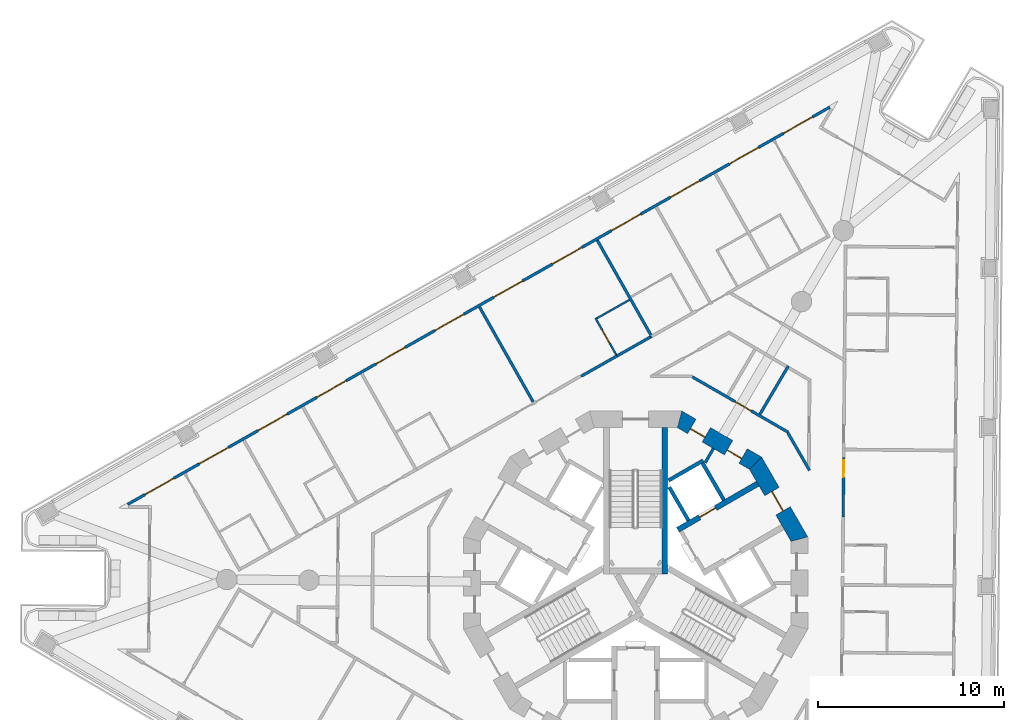
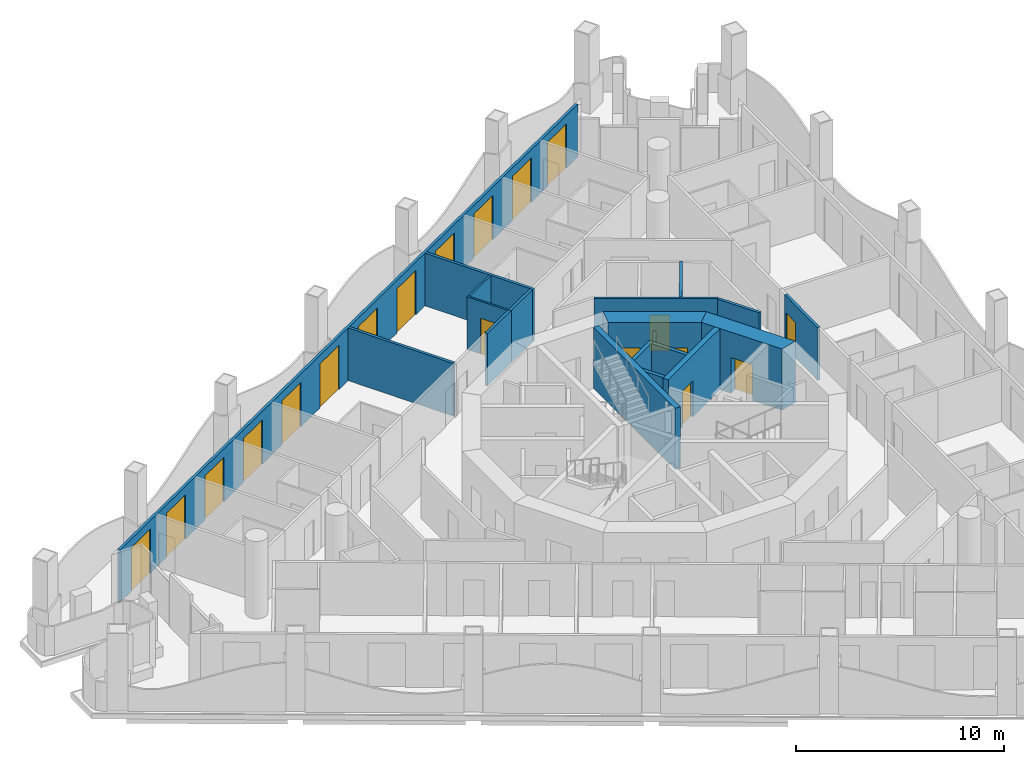
# One storey, part 8 of 17: 19 doors, 19 walls, 19 openings.
"""IFC4 building model written with IfcOpenShell, lengths in metres."""

from ifc_helpers import new_model, si_unit, direction, frame, frame_2d, origin, place, context, subcontext, project, spatial, polyline, rectangle, outline, extrude, material, layer, layer_set, type_object, element, fill, save


model = new_model("IFC4")

# Units and contexts
model_context = context("Model", 3, precision=1e-05, world=origin(), true_north=direction((0.0, 1.0)))
body_context = subcontext(model_context, "Body", "Model", "MODEL_VIEW")
ifc_project = project(units=[si_unit("LENGTHUNIT", "METRE"), si_unit("AREAUNIT", "SQUARE_METRE"), si_unit("VOLUMEUNIT", "CUBIC_METRE"), si_unit("PLANEANGLEUNIT", "RADIAN"), si_unit("MASSUNIT", "GRAM", prefix="KILO")], contexts=[model_context])

# Site, building, storey
site_placement = place(None, origin())
site = spatial("IfcSite", under=ifc_project, at=site_placement, CompositionType="ELEMENT")
building_placement = place(site_placement, origin())
building = spatial("IfcBuilding", under=site, at=building_placement, Name="Trine Commons Tower", CompositionType="ELEMENT")
storey_placement = place(building_placement, frame((0.0, 0.0, 189.89990234375)))
storey = spatial("IfcBuildingStorey", under=building, at=storey_placement, Name="L49", CompositionType="ELEMENT", Elevation=189.89990234375)

# Wall
ifc_material_1 = material(Name="Plasterboard partition on steel studs", Category="steel")
ifc_layer_1 = layer(ifc_material_1, 0.14990234375)
ifc_layer_set_1 = layer_set([ifc_layer_1], Name="Plasterboard partition on steel studs")
wall_type_1 = type_object("IfcWallType", Name="Core room partition 150 mm, EI 60", PredefinedType="PARTITIONING", material=ifc_layer_set_1)
wall_1_placement = place(storey_placement, frame((84.18603515625, 69.7509765625, 0.0), z_axis=(0.0, 0.0, 1.0), x_axis=(-0.499890179513, -0.866088799389, 0.0)))
element("IfcWall", 1, at=wall_1_placement, inside=storey, type_object=wall_type_1, Name="Core room partition L49", PredefinedType="PARTITIONING", context=body_context, shape_type="SweptSolid", body=[
    extrude(rectangle(XDim=0.882080078125, YDim=0.14990234375, at=frame_2d((0.44091796875, 0.0))), origin(), (0.0, 0.0, 1.0), 3.10009765625),
])

# Wall, openings, doors
ifc_material_2 = material(Name="Aluminium-framed insulated wall panel", Category="aluminium")
ifc_layer_2 = layer(ifc_material_2, 0.14990234375)
ifc_layer_set_2 = layer_set([ifc_layer_2], Name="Aluminium-framed insulated wall panel")
wall_type_2 = type_object("IfcWallType", Name="Glazed frame wall 150, EI 60", PredefinedType="SOLIDWALL", material=ifc_layer_set_2)
wall_2_placement = place(storey_placement, frame((52.497802734375, 66.67041015625, 0.0), z_axis=(0.0, 0.0, 1.0), x_axis=(0.870354973249, 0.492424837453, 0.0)))
wall_2 = element("IfcWall", 2, at=wall_2_placement, inside=storey, type_object=wall_type_2, Name="Glazed frame wall F1", PredefinedType="SOLIDWALL", context=body_context, shape_type="SweptSolid", body=[
    extrude(outline(polyline([(0.1494140625, 0.074951171875), (0.1494140625, -0.074951171875), (43.616943359375, -0.074951171875), (43.616943359375, 0.074951171875), (0.1494140625, 0.074951171875)])), origin(), (0.0, 0.0, 1.0), 3.10009765625),
])
opening_1_placement = place(wall_2_placement, frame((1.2236328125, 0.0, 0.0)))
opening_1 = element("IfcOpeningElement", 3, at=opening_1_placement, cuts=wall_2, Name="Opening BD-5F1-01", PredefinedType="OPENING", context=body_context, shape_type="SweptSolid", body=[
    extrude(rectangle(XDim=1.800048828125, YDim=2.60009765625, at=frame_2d((0.89990234375, 1.300048828125))), frame((0.0, 0.0849609375, 0.0), z_axis=(0.0, -1.0, 0.0), x_axis=(1.0, 0.0, 0.0)), (0.0, 0.0, 1.0), 0.169921875),
])
opening_2_placement = place(wall_2_placement, frame((4.57080078125, 0.0, 0.0)))
opening_2 = element("IfcOpeningElement", 4, at=opening_2_placement, cuts=wall_2, Name="Opening BD-5F1-02", PredefinedType="OPENING", context=body_context, shape_type="SweptSolid", body=[
    extrude(rectangle(XDim=1.800048828125, YDim=2.60009765625, at=frame_2d((0.89990234375, 1.300048828125))), frame((0.0, 0.0849609375, 0.0), z_axis=(0.0, -1.0, 0.0), x_axis=(1.0, 0.0, 0.0)), (0.0, 0.0, 1.0), 0.169921875),
])
opening_3_placement = place(wall_2_placement, frame((8.218017578125, 0.0, 0.0)))
opening_3 = element("IfcOpeningElement", 5, at=opening_3_placement, cuts=wall_2, Name="Opening BD-5F1-03", PredefinedType="OPENING", context=body_context, shape_type="SweptSolid", body=[
    extrude(rectangle(XDim=1.800048828125, YDim=2.60009765625, at=frame_2d((0.89990234375, 1.300048828125))), frame((0.0, 0.0849609375, 0.0), z_axis=(0.0, -1.0, 0.0), x_axis=(1.0, 0.0, 0.0)), (0.0, 0.0, 1.0), 0.169921875),
])
opening_4_placement = place(wall_2_placement, frame((11.865234375, 0.0, 0.0)))
opening_4 = element("IfcOpeningElement", 6, at=opening_4_placement, cuts=wall_2, Name="Opening BD-5F1-04", PredefinedType="OPENING", context=body_context, shape_type="SweptSolid", body=[
    extrude(rectangle(XDim=1.800048828125, YDim=2.60009765625, at=frame_2d((0.89990234375, 1.300048828125))), frame((0.0, 0.0849609375, 0.0), z_axis=(0.0, -1.0, 0.0), x_axis=(1.0, 0.0, 0.0)), (0.0, 0.0, 1.0), 0.169921875),
])
opening_5_placement = place(wall_2_placement, frame((15.512451171875, 0.0, 0.0)))
opening_5 = element("IfcOpeningElement", 7, at=opening_5_placement, cuts=wall_2, Name="Opening BD-5F1-05", PredefinedType="OPENING", context=body_context, shape_type="SweptSolid", body=[
    extrude(rectangle(XDim=1.800048828125, YDim=2.60009765625, at=frame_2d((0.89990234375, 1.300048828125))), frame((0.0, 0.0849609375, 0.0), z_axis=(0.0, -1.0, 0.0), x_axis=(1.0, 0.0, 0.0)), (0.0, 0.0, 1.0), 0.169921875),
])
opening_6_placement = place(wall_2_placement, frame((19.15966796875, 0.0, 0.0)))
opening_6 = element("IfcOpeningElement", 8, at=opening_6_placement, cuts=wall_2, Name="Opening BD-5F1-06", PredefinedType="OPENING", context=body_context, shape_type="SweptSolid", body=[
    extrude(rectangle(XDim=1.800048828125, YDim=2.60009765625, at=frame_2d((0.89990234375, 1.300048828125))), frame((0.0, 0.0849609375, 0.0), z_axis=(0.0, -1.0, 0.0), x_axis=(1.0, 0.0, 0.0)), (0.0, 0.0, 1.0), 0.169921875),
])
opening_7_placement = place(wall_2_placement, frame((22.806884765625, 0.0, 0.0)))
opening_7 = element("IfcOpeningElement", 9, at=opening_7_placement, cuts=wall_2, Name="Opening BD-5F1-07", PredefinedType="OPENING", context=body_context, shape_type="SweptSolid", body=[
    extrude(rectangle(XDim=1.800048828125, YDim=2.60009765625, at=frame_2d((0.89990234375, 1.300048828125))), frame((0.0, 0.0849609375, 0.0), z_axis=(0.0, -1.0, 0.0), x_axis=(1.0, 0.0, 0.0)), (0.0, 0.0, 1.0), 0.169921875),
])
opening_8_placement = place(wall_2_placement, frame((26.4541015625, 0.0, 0.0)))
opening_8 = element("IfcOpeningElement", 10, at=opening_8_placement, cuts=wall_2, Name="Opening BD-5F1-08", PredefinedType="OPENING", context=body_context, shape_type="SweptSolid", body=[
    extrude(rectangle(XDim=1.800048828125, YDim=2.60009765625, at=frame_2d((0.89990234375, 1.300048828125))), frame((0.0, 0.0849609375, 0.0), z_axis=(0.0, -1.0, 0.0), x_axis=(1.0, 0.0, 0.0)), (0.0, 0.0, 1.0), 0.169921875),
])
opening_9_placement = place(wall_2_placement, frame((30.101318359375, 0.0, 0.0)))
opening_9 = element("IfcOpeningElement", 11, at=opening_9_placement, cuts=wall_2, Name="Opening BD-5F1-09", PredefinedType="OPENING", context=body_context, shape_type="SweptSolid", body=[
    extrude(rectangle(XDim=1.800048828125, YDim=2.60009765625, at=frame_2d((0.89990234375, 1.300048828125))), frame((0.0, 0.0849609375, 0.0), z_axis=(0.0, -1.0, 0.0), x_axis=(1.0, 0.0, 0.0)), (0.0, 0.0, 1.0), 0.169921875),
])
opening_10_placement = place(wall_2_placement, frame((33.748291015625, 0.0, 0.0)))
opening_10 = element("IfcOpeningElement", 12, at=opening_10_placement, cuts=wall_2, Name="Opening BD-5F1-10", PredefinedType="OPENING", context=body_context, shape_type="SweptSolid", body=[
    extrude(rectangle(XDim=1.800048828125, YDim=2.60009765625, at=frame_2d((0.89990234375, 1.300048828125))), frame((0.0, 0.0849609375, 0.0), z_axis=(0.0, -1.0, 0.0), x_axis=(1.0, 0.0, 0.0)), (0.0, 0.0, 1.0), 0.169921875),
])
opening_11_placement = place(wall_2_placement, frame((37.3955078125, 0.0, 0.0)))
opening_11 = element("IfcOpeningElement", 13, at=opening_11_placement, cuts=wall_2, Name="Opening BD-5F1-11", PredefinedType="OPENING", context=body_context, shape_type="SweptSolid", body=[
    extrude(rectangle(XDim=1.800048828125, YDim=2.60009765625, at=frame_2d((0.89990234375, 1.300048828125))), frame((0.0, 0.0849609375, 0.0), z_axis=(0.0, -1.0, 0.0), x_axis=(1.0, 0.0, 0.0)), (0.0, 0.0, 1.0), 0.169921875),
])
opening_12_placement = place(wall_2_placement, frame((40.742919921875, 0.0, 0.0)))
opening_12 = element("IfcOpeningElement", 14, at=opening_12_placement, cuts=wall_2, Name="Opening BD-5F1-12", PredefinedType="OPENING", context=body_context, shape_type="SweptSolid", body=[
    extrude(rectangle(XDim=1.800048828125, YDim=2.60009765625, at=frame_2d((0.89990234375, 1.300048828125))), frame((0.0, 0.0849609375, 0.0), z_axis=(0.0, -1.0, 0.0), x_axis=(1.0, 0.0, 0.0)), (0.0, 0.0, 1.0), 0.169921875),
])
ifc_material_3 = material(Name="Anodised aluminium frame with double glazing", Category="aluminium")
door_type_1 = type_object("IfcDoorType", Name="Sliding loggia door 1800x2600", OperationType="SLIDING_TO_LEFT", PredefinedType="DOOR", material=ifc_material_3)
door_1_placement = place(opening_1_placement, origin())
door_1 = element("IfcDoor", 15, at=door_1_placement, inside=storey, type_object=door_type_1, Name="Loggia door F1 1", OperationType="SLIDING_TO_LEFT", OverallHeight=2.60009765625, OverallWidth=1.800048828125, PredefinedType="DOOR", context=body_context, shape_type="SweptSolid", body=[
    extrude(rectangle(XDim=1.800048828125, YDim=2.60009765625, at=frame_2d((0.89990234375, 1.300048828125))), frame((0.0, 0.02490234375, 0.0), z_axis=(0.0, -1.0, 0.0), x_axis=(1.0, 0.0, 0.0)), (0.0, 0.0, 1.0), 0.050048828125),
])
fill(opening_1, door_1)
door_2_placement = place(opening_2_placement, origin())
door_2 = element("IfcDoor", 16, at=door_2_placement, inside=storey, type_object=door_type_1, Name="Loggia door F1 2", OperationType="SLIDING_TO_LEFT", OverallHeight=2.60009765625, OverallWidth=1.800048828125, PredefinedType="DOOR", context=body_context, shape_type="SweptSolid", body=[
    extrude(rectangle(XDim=1.800048828125, YDim=2.60009765625, at=frame_2d((0.89990234375, 1.300048828125))), frame((0.0, 0.02490234375, 0.0), z_axis=(0.0, -1.0, 0.0), x_axis=(1.0, 0.0, 0.0)), (0.0, 0.0, 1.0), 0.050048828125),
])
fill(opening_2, door_2)
door_3_placement = place(opening_3_placement, origin())
door_3 = element("IfcDoor", 17, at=door_3_placement, inside=storey, type_object=door_type_1, Name="Loggia door F1 3", OperationType="SLIDING_TO_LEFT", OverallHeight=2.60009765625, OverallWidth=1.800048828125, PredefinedType="DOOR", context=body_context, shape_type="SweptSolid", body=[
    extrude(rectangle(XDim=1.800048828125, YDim=2.60009765625, at=frame_2d((0.89990234375, 1.300048828125))), frame((0.0, 0.02490234375, 0.0), z_axis=(0.0, -1.0, 0.0), x_axis=(1.0, 0.0, 0.0)), (0.0, 0.0, 1.0), 0.050048828125),
])
fill(opening_3, door_3)
door_4_placement = place(opening_4_placement, origin())
door_4 = element("IfcDoor", 18, at=door_4_placement, inside=storey, type_object=door_type_1, Name="Loggia door F1 4", OperationType="SLIDING_TO_LEFT", OverallHeight=2.60009765625, OverallWidth=1.800048828125, PredefinedType="DOOR", context=body_context, shape_type="SweptSolid", body=[
    extrude(rectangle(XDim=1.800048828125, YDim=2.60009765625, at=frame_2d((0.89990234375, 1.300048828125))), frame((0.0, 0.02490234375, 0.0), z_axis=(0.0, -1.0, 0.0), x_axis=(1.0, 0.0, 0.0)), (0.0, 0.0, 1.0), 0.050048828125),
])
fill(opening_4, door_4)
door_5_placement = place(opening_5_placement, origin())
door_5 = element("IfcDoor", 19, at=door_5_placement, inside=storey, type_object=door_type_1, Name="Loggia door F1 5", OperationType="SLIDING_TO_LEFT", OverallHeight=2.60009765625, OverallWidth=1.800048828125, PredefinedType="DOOR", context=body_context, shape_type="SweptSolid", body=[
    extrude(rectangle(XDim=1.800048828125, YDim=2.60009765625, at=frame_2d((0.89990234375, 1.300048828125))), frame((0.0, 0.02490234375, 0.0), z_axis=(0.0, -1.0, 0.0), x_axis=(1.0, 0.0, 0.0)), (0.0, 0.0, 1.0), 0.050048828125),
])
fill(opening_5, door_5)
door_6_placement = place(opening_6_placement, origin())
door_6 = element("IfcDoor", 20, at=door_6_placement, inside=storey, type_object=door_type_1, Name="Loggia door F1 6", OperationType="SLIDING_TO_LEFT", OverallHeight=2.60009765625, OverallWidth=1.800048828125, PredefinedType="DOOR", context=body_context, shape_type="SweptSolid", body=[
    extrude(rectangle(XDim=1.800048828125, YDim=2.60009765625, at=frame_2d((0.89990234375, 1.300048828125))), frame((0.0, 0.02490234375, 0.0), z_axis=(0.0, -1.0, 0.0), x_axis=(1.0, 0.0, 0.0)), (0.0, 0.0, 1.0), 0.050048828125),
])
fill(opening_6, door_6)
door_7_placement = place(opening_7_placement, origin())
door_7 = element("IfcDoor", 21, at=door_7_placement, inside=storey, type_object=door_type_1, Name="Loggia door F1 7", OperationType="SLIDING_TO_LEFT", OverallHeight=2.60009765625, OverallWidth=1.800048828125, PredefinedType="DOOR", context=body_context, shape_type="SweptSolid", body=[
    extrude(rectangle(XDim=1.800048828125, YDim=2.60009765625, at=frame_2d((0.89990234375, 1.300048828125))), frame((0.0, 0.02490234375, 0.0), z_axis=(0.0, -1.0, 0.0), x_axis=(1.0, 0.0, 0.0)), (0.0, 0.0, 1.0), 0.050048828125),
])
fill(opening_7, door_7)
door_8_placement = place(opening_8_placement, origin())
door_8 = element("IfcDoor", 22, at=door_8_placement, inside=storey, type_object=door_type_1, Name="Loggia door F1 8", OperationType="SLIDING_TO_LEFT", OverallHeight=2.60009765625, OverallWidth=1.800048828125, PredefinedType="DOOR", context=body_context, shape_type="SweptSolid", body=[
    extrude(rectangle(XDim=1.800048828125, YDim=2.60009765625, at=frame_2d((0.89990234375, 1.300048828125))), frame((0.0, 0.02490234375, 0.0), z_axis=(0.0, -1.0, 0.0), x_axis=(1.0, 0.0, 0.0)), (0.0, 0.0, 1.0), 0.050048828125),
])
fill(opening_8, door_8)
door_9_placement = place(opening_9_placement, origin())
door_9 = element("IfcDoor", 23, at=door_9_placement, inside=storey, type_object=door_type_1, Name="Loggia door F1 9", OperationType="SLIDING_TO_LEFT", OverallHeight=2.60009765625, OverallWidth=1.800048828125, PredefinedType="DOOR", context=body_context, shape_type="SweptSolid", body=[
    extrude(rectangle(XDim=1.800048828125, YDim=2.60009765625, at=frame_2d((0.89990234375, 1.300048828125))), frame((0.0, 0.02490234375, 0.0), z_axis=(0.0, -1.0, 0.0), x_axis=(1.0, 0.0, 0.0)), (0.0, 0.0, 1.0), 0.050048828125),
])
fill(opening_9, door_9)
door_10_placement = place(opening_10_placement, origin())
door_10 = element("IfcDoor", 24, at=door_10_placement, inside=storey, type_object=door_type_1, Name="Loggia door F1 10", OperationType="SLIDING_TO_LEFT", OverallHeight=2.60009765625, OverallWidth=1.800048828125, PredefinedType="DOOR", context=body_context, shape_type="SweptSolid", body=[
    extrude(rectangle(XDim=1.800048828125, YDim=2.60009765625, at=frame_2d((0.89990234375, 1.300048828125))), frame((0.0, 0.02490234375, 0.0), z_axis=(0.0, -1.0, 0.0), x_axis=(1.0, 0.0, 0.0)), (0.0, 0.0, 1.0), 0.050048828125),
])
fill(opening_10, door_10)
door_11_placement = place(opening_11_placement, origin())
door_11 = element("IfcDoor", 25, at=door_11_placement, inside=storey, type_object=door_type_1, Name="Loggia door F1 11", OperationType="SLIDING_TO_LEFT", OverallHeight=2.60009765625, OverallWidth=1.800048828125, PredefinedType="DOOR", context=body_context, shape_type="SweptSolid", body=[
    extrude(rectangle(XDim=1.800048828125, YDim=2.60009765625, at=frame_2d((0.89990234375, 1.300048828125))), frame((0.0, 0.02490234375, 0.0), z_axis=(0.0, -1.0, 0.0), x_axis=(1.0, 0.0, 0.0)), (0.0, 0.0, 1.0), 0.050048828125),
])
fill(opening_11, door_11)
door_12_placement = place(opening_12_placement, origin())
door_12 = element("IfcDoor", 26, at=door_12_placement, inside=storey, type_object=door_type_1, Name="Loggia door F1 12", OperationType="SLIDING_TO_LEFT", OverallHeight=2.60009765625, OverallWidth=1.800048828125, PredefinedType="DOOR", context=body_context, shape_type="SweptSolid", body=[
    extrude(rectangle(XDim=1.800048828125, YDim=2.60009765625, at=frame_2d((0.89990234375, 1.300048828125))), frame((0.0, 0.02490234375, 0.0), z_axis=(0.0, -1.0, 0.0), x_axis=(1.0, 0.0, 0.0)), (0.0, 0.0, 1.0), 0.050048828125),
])
fill(opening_12, door_12)

# Wall, opening, door
ifc_material_4 = material(Name="Concrete C60/75", Category="concrete")
ifc_layer_3 = layer(ifc_material_4, 0.300048828125)
ifc_layer_set_3 = layer_set([ifc_layer_3], Name="Concrete C60/75")
wall_type_3 = type_object("IfcWallType", Name="RC shear wall 300 mm, C60/75", PredefinedType="SHEAR", material=ifc_layer_set_3)
wall_3_placement = place(storey_placement, frame((82.26904296875, 65.368896484375, 0.0), z_axis=(0.0, 0.0, 1.0), x_axis=(0.865983655544, 0.500072303102, 0.0)))
wall_3 = element("IfcWall", 27, at=wall_3_placement, inside=storey, type_object=wall_type_3, Name="Core cross wall SWB-05 L49", PredefinedType="SHEAR", context=body_context, shape_type="SweptSolid", body=[
    extrude(rectangle(XDim=4.973388671875, YDim=0.300048828125, at=frame_2d((2.48681640625, 0.0))), origin(), (0.0, 0.0, 1.0), 3.60009765625),
])
opening_13_placement = place(wall_3_placement, frame((1.3505859375, 0.0, 0.0)))
opening_13 = element("IfcOpeningElement", 28, at=opening_13_placement, cuts=wall_3, Name="Opening LD5", PredefinedType="OPENING", context=body_context, shape_type="SweptSolid", body=[
    extrude(rectangle(XDim=1.0, YDim=2.10009765625, at=frame_2d((0.5, 1.050048828125))), frame((0.0, 0.159912109375, 0.0), z_axis=(0.0, -1.0, 0.0), x_axis=(1.0, 0.0, 0.0)), (0.0, 0.0, 1.0), 0.320068359375),
])
ifc_material_5 = material(Name="Stainless steel sliding door leaves", Category="steel")
door_type_2 = type_object("IfcDoorType", Name="Lift landing door, centre-opening sliding 1000 x 2100, FD90", OperationType="DOUBLE_DOOR_SLIDING", PredefinedType="DOOR", material=ifc_material_5)
door_13_placement = place(opening_13_placement, origin())
door_13 = element("IfcDoor", 29, at=door_13_placement, inside=storey, type_object=door_type_2, Name="Lift landing door HR1 L49", OperationType="DOUBLE_DOOR_SLIDING", OverallHeight=2.10009765625, OverallWidth=1.0, PredefinedType="DOOR", context=body_context, shape_type="SweptSolid", body=[
    extrude(rectangle(XDim=1.0, YDim=2.10009765625, at=frame_2d((0.5, 1.050048828125))), frame((0.0, 0.02490234375, 0.0), z_axis=(0.0, -1.0, 0.0), x_axis=(1.0, 0.0, 0.0)), (0.0, 0.0, 1.0), 0.050048828125),
])
fill(opening_13, door_13)

# Wall
wall_4_placement = place(storey_placement, frame((81.574951171875, 63.0009765625, 0.0), z_axis=(0.0, 0.0, 1.0), x_axis=(0.0, 1.0, 0.0)))
element("IfcWall", 30, at=wall_4_placement, inside=storey, type_object=wall_type_3, Name="Core cross wall SWB-17 L49", PredefinedType="SHEAR", context=body_context, shape_type="SweptSolid", body=[
    extrude(rectangle(XDim=7.8720703125, YDim=0.300048828125, at=frame_2d((3.93603515625, 0.0))), origin(), (0.0, 0.0, 1.0), 3.60009765625),
])

# Wall, opening, door
ifc_layer_4 = layer(ifc_material_4, 0.89990234375)
ifc_layer_set_4 = layer_set([ifc_layer_4], Name="Concrete C60/75")
wall_type_4 = type_object("IfcWallType", Name="RC shear wall 900 mm, C60/75", PredefinedType="SHEAR", material=ifc_layer_set_4)
wall_5_placement = place(storey_placement, frame((88.88330078125, 64.759765625, 0.0), z_axis=(0.0, 0.0, 1.0), x_axis=(-0.500038571144, 0.866003133579, 0.0)))
wall_5 = element("IfcWall", 31, at=wall_5_placement, inside=storey, type_object=wall_type_4, Name="Core wall CWE-02 L49", PredefinedType="SHEAR", context=body_context, shape_type="SweptSolid", body=[
    extrude(outline(polyline([(0.0, -0.449951171875), (4.96923828125, -0.449951171875), (4.72802734375, 0.449951171875), (0.2412109375, 0.449951171875), (0.0, -0.449951171875)])), origin(), (0.0, 0.0, 1.0), 3.60009765625),
])
opening_14_placement = place(wall_5_placement, frame((1.884521484375, 0.0, 0.0)))
opening_14 = element("IfcOpeningElement", 32, at=opening_14_placement, cuts=wall_5, Name="Opening K12.04", PredefinedType="OPENING", context=body_context, shape_type="SweptSolid", body=[
    extrude(rectangle(XDim=1.199951171875, YDim=2.10009765625, at=frame_2d((0.60009765625, 1.050048828125))), frame((0.0, 0.4599609375, 0.0), z_axis=(0.0, -1.0, 0.0), x_axis=(1.0, 0.0, 0.0)), (0.0, 0.0, 1.0), 0.919921875),
])
ifc_material_6 = material(Name="Steel door leaves, fire-rated", Category="steel")
door_type_3 = type_object("IfcDoorType", Name="Lobby door, double leaf 1200 x 2100, FD60", OperationType="DOUBLE_DOOR_SINGLE_SWING", PredefinedType="DOOR", material=ifc_material_6)
door_14_placement = place(opening_14_placement, origin())
door_14 = element("IfcDoor", 33, at=door_14_placement, inside=storey, type_object=door_type_3, Name="Lobby door, Passenger lift lobby A L49", OperationType="DOUBLE_DOOR_SINGLE_SWING", OverallHeight=2.10009765625, OverallWidth=1.199951171875, PredefinedType="DOOR", context=body_context, shape_type="SweptSolid", body=[
    extrude(rectangle(XDim=1.199951171875, YDim=2.10009765625, at=frame_2d((0.60009765625, 1.050048828125))), frame((0.0, 0.02490234375, 0.0), z_axis=(0.0, -1.0, 0.0), x_axis=(1.0, 0.0, 0.0)), (0.0, 0.0, 1.0), 0.050048828125),
])
fill(opening_14, door_14)

# Wall, openings, doors
wall_6_placement = place(storey_placement, frame((86.563232421875, 68.8984375, 0.0), z_axis=(0.0, 0.0, 1.0), x_axis=(-0.866003133579, 0.500038571144, 0.0)))
wall_6 = element("IfcWall", 34, at=wall_6_placement, inside=storey, type_object=wall_type_4, Name="Core wall CWE-03 L49", PredefinedType="SHEAR", context=body_context, shape_type="SweptSolid", body=[
    extrude(outline(polyline([(0.0, -0.449951171875), (4.96923828125, -0.449951171875), (4.72802734375, 0.449951171875), (0.2412109375, 0.449951171875), (0.0, -0.449951171875)])), origin(), (0.0, 0.0, 1.0), 3.60009765625),
])
opening_15_placement = place(wall_6_placement, frame((0.89599609375, 0.0, 0.0)))
opening_15 = element("IfcOpeningElement", 35, at=opening_15_placement, cuts=wall_6, Name="Opening K12.12", PredefinedType="OPENING", context=body_context, shape_type="SweptSolid", body=[
    extrude(rectangle(XDim=0.89990234375, YDim=2.10009765625, at=frame_2d((0.449951171875, 1.050048828125))), frame((0.0, 0.4599609375, 0.0), z_axis=(0.0, -1.0, 0.0), x_axis=(1.0, 0.0, 0.0)), (0.0, 0.0, 1.0), 0.919921875),
])
opening_16_placement = place(wall_6_placement, frame((3.18505859375, 0.0, 0.0)))
opening_16 = element("IfcOpeningElement", 36, at=opening_16_placement, cuts=wall_6, Name="Opening K12.13", PredefinedType="OPENING", context=body_context, shape_type="SweptSolid", body=[
    extrude(rectangle(XDim=0.89990234375, YDim=2.10009765625, at=frame_2d((0.449951171875, 1.050048828125))), frame((0.0, 0.4599609375, 0.0), z_axis=(0.0, -1.0, 0.0), x_axis=(1.0, 0.0, 0.0)), (0.0, 0.0, 1.0), 0.919921875),
])
ifc_material_7 = material(Name="Steel door leaf, fire-rated", Category="steel")
door_type_4 = type_object("IfcDoorType", Name="Core room door, single leaf 900 x 2100, FD30S", OperationType="SINGLE_SWING_LEFT", PredefinedType="DOOR", material=ifc_material_7)
door_15_placement = place(opening_15_placement, origin())
door_15 = element("IfcDoor", 37, at=door_15_placement, inside=storey, type_object=door_type_4, Name="Door to Parcel store L49", OperationType="SINGLE_SWING_LEFT", OverallHeight=2.10009765625, OverallWidth=0.89990234375, PredefinedType="DOOR", context=body_context, shape_type="SweptSolid", body=[
    extrude(rectangle(XDim=0.89990234375, YDim=2.10009765625, at=frame_2d((0.449951171875, 1.050048828125))), frame((0.0, 0.1748046875, 0.0), z_axis=(0.0, -1.0, 0.0), x_axis=(1.0, 0.0, 0.0)), (0.0, 0.0, 1.0), 0.050048828125),
])
fill(opening_15, door_15)
door_16_placement = place(opening_16_placement, origin())
door_16 = element("IfcDoor", 38, at=door_16_placement, inside=storey, type_object=door_type_4, Name="Door to Print room L49", OperationType="SINGLE_SWING_RIGHT", OverallHeight=2.10009765625, OverallWidth=0.89990234375, PredefinedType="DOOR", context=body_context, shape_type="SweptSolid", body=[
    extrude(rectangle(XDim=0.89990234375, YDim=2.10009765625, at=frame_2d((0.449951171875, 1.050048828125))), frame((0.0, 0.1748046875, 0.0), z_axis=(0.0, -1.0, 0.0), x_axis=(1.0, 0.0, 0.0)), (0.0, 0.0, 1.0), 0.050048828125),
])
fill(opening_16, door_16)

# Walls
ifc_material_8 = material(Name="Fire-rated gypsum shaft wall system")
ifc_layer_5 = layer(ifc_material_8, 0.199951171875)
ifc_layer_set_5 = layer_set([ifc_layer_5], Name="Fire-rated gypsum shaft wall system")
wall_type_5 = type_object("IfcWallType", Name="Shaft wall 200 mm, EI 120", PredefinedType="PARTITIONING", material=ifc_layer_set_5)
wall_7_placement = place(storey_placement, frame((81.77490234375, 68.028076171875, 0.0), z_axis=(0.0, 0.0, 1.0), x_axis=(0.866130725101, 0.499817533742, 0.0)))
element("IfcWall", 39, at=wall_7_placement, inside=storey, type_object=wall_type_5, Name="Shaft wall L49", PredefinedType="PARTITIONING", context=body_context, shape_type="SweptSolid", body=[
    extrude(rectangle(XDim=2.148681640625, YDim=0.199951171875, at=frame_2d((1.07421875, 0.0))), origin(), (0.0, 0.0, 1.0), 3.10009765625),
])
wall_8_placement = place(storey_placement, frame((82.843994140625, 65.8740234375, 0.0), z_axis=(0.0, 0.0, 1.0), x_axis=(-0.499865770674, 0.866102887253, 0.0)))
element("IfcWall", 40, at=wall_8_placement, inside=storey, type_object=wall_type_5, Name="Shaft wall L49", PredefinedType="PARTITIONING", context=body_context, shape_type="SweptSolid", body=[
    extrude(rectangle(XDim=2.064453125, YDim=0.199951171875, at=frame_2d((1.0322265625, 0.0))), origin(), (0.0, 0.0, 1.0), 3.10009765625),
])
wall_9_placement = place(storey_placement, frame((84.7490234375, 66.97412109375, 0.0), z_axis=(0.0, 0.0, 1.0), x_axis=(-0.500136062276, 0.86594683394, 0.0)))
element("IfcWall", 41, at=wall_9_placement, inside=storey, type_object=wall_type_5, Name="Shaft wall L49", PredefinedType="PARTITIONING", context=body_context, shape_type="SweptSolid", body=[
    extrude(rectangle(XDim=2.299072265625, YDim=0.199951171875, at=frame_2d((1.1494140625, 0.0))), origin(), (0.0, 0.0, 1.0), 3.10009765625),
])
ifc_material_9 = material(Name="Gypsum plasterboard on steel stud", Category="steel")
ifc_layer_6 = layer(ifc_material_9, 0.14990234375)
ifc_layer_set_6 = layer_set([ifc_layer_6], Name="Gypsum plasterboard on steel stud")
wall_type_6 = type_object("IfcWallType", Name="Unit and corridor wall 150 mm, EI 60", PredefinedType="PARTITIONING", material=ifc_layer_set_6)
wall_10_placement = place(storey_placement, frame((71.580810546875, 77.381103515625, 0.0), z_axis=(0.0, 0.0, 1.0), x_axis=(0.4923790567, -0.870380873252, 0.0)))
element("IfcWall", 42, at=wall_10_placement, inside=storey, type_object=wall_type_6, Name="Partition 041", PredefinedType="PARTITIONING", context=body_context, shape_type="SweptSolid", body=[
    extrude(rectangle(XDim=5.874267578125, YDim=0.14990234375, at=frame_2d((2.93701171875, 0.0))), origin(), (0.0, 0.0, 1.0), 3.10009765625),
])
wall_11_placement = place(storey_placement, frame((77.06396484375, 73.64794921875, 0.0), z_axis=(0.0, 0.0, 1.0), x_axis=(0.870371968562, 0.492394797232, 0.0)))
element("IfcWall", 43, at=wall_11_placement, inside=storey, type_object=wall_type_6, Name="Partition 045", PredefinedType="PARTITIONING", context=body_context, shape_type="SweptSolid", body=[
    extrude(rectangle(XDim=2.263916015625, YDim=0.14990234375, at=frame_2d((1.1318359375, 0.0))), origin(), (0.0, 0.0, 1.0), 3.10009765625),
])
wall_12_placement = place(storey_placement, frame((77.9296875, 80.97314453125, 0.0), z_axis=(0.0, 0.0, 1.0), x_axis=(0.492389730591, -0.870374834889, 0.0)))
element("IfcWall", 44, at=wall_12_placement, inside=storey, type_object=wall_type_6, Name="Partition 051", PredefinedType="PARTITIONING", context=body_context, shape_type="SweptSolid", body=[
    extrude(rectangle(XDim=6.0244140625, YDim=0.14990234375, at=frame_2d((3.01220703125, 0.0))), origin(), (0.0, 0.0, 1.0), 3.10009765625),
])
wall_13_placement = place(storey_placement, frame((78.985107421875, 74.735107421875, 0.0), z_axis=(0.0, 0.0, 1.0), x_axis=(0.870357405907, 0.492420537735, 0.0)))
element("IfcWall", 45, at=wall_13_placement, inside=storey, type_object=wall_type_6, Name="Partition 052", PredefinedType="PARTITIONING", context=body_context, shape_type="SweptSolid", body=[
    extrude(rectangle(XDim=2.081298828125, YDim=0.14990234375, at=frame_2d((1.04052734375, 0.0))), origin(), (0.0, 0.0, 1.0), 3.10009765625),
])

# Wall, opening, door
wall_14_placement = place(storey_placement, frame((83.052001953125, 73.610595703125, 0.0), z_axis=(0.0, 0.0, 1.0), x_axis=(0.866039280689, -0.499975963725, 0.0)))
wall_14 = element("IfcWall", 46, at=wall_14_placement, inside=storey, type_object=wall_type_6, Name="Partition 069", PredefinedType="PARTITIONING", context=body_context, shape_type="SweptSolid", body=[
    extrude(rectangle(XDim=5.974365234375, YDim=0.14990234375, at=frame_2d((2.9873046875, 0.0))), origin(), (0.0, 0.0, 1.0), 3.10009765625),
])
opening_17_placement = place(wall_14_placement, frame((2.6591796875, 0.0, 0.0)))
opening_17 = element("IfcOpeningElement", 47, at=opening_17_placement, cuts=wall_14, Name="Opening D-5C32", PredefinedType="OPENING", context=body_context, shape_type="SweptSolid", body=[
    extrude(rectangle(XDim=1.0, YDim=2.10009765625, at=frame_2d((0.5, 1.050048828125))), frame((0.0, 0.0849609375, 0.0), z_axis=(0.0, -1.0, 0.0), x_axis=(1.0, 0.0, 0.0)), (0.0, 0.0, 1.0), 0.169921875),
])
ifc_material_10 = material(Name="Painted timber", Category="wood")
door_type_5 = type_object("IfcDoorType", Name="Toilet door 1000 x 2100, NOT RATED", OperationType="NOTDEFINED", PredefinedType="DOOR", material=ifc_material_10)
door_17_placement = place(opening_17_placement, origin())
door_17 = element("IfcDoor", 48, at=door_17_placement, inside=storey, type_object=door_type_5, Name="Door D-5C32", OperationType="SINGLE_SWING_RIGHT", OverallHeight=2.10009765625, OverallWidth=1.0, PredefinedType="DOOR", context=body_context, shape_type="SweptSolid", body=[
    extrude(rectangle(XDim=1.0, YDim=2.10009765625, at=frame_2d((0.5, 1.050048828125))), frame((0.0, 0.02490234375, 0.0), z_axis=(0.0, -1.0, 0.0), x_axis=(1.0, 0.0, 0.0)), (0.0, 0.0, 1.0), 0.050048828125),
])
fill(opening_17, door_17)

# Walls
wall_15_placement = place(storey_placement, frame((86.692138671875, 71.595703125, 0.0), z_axis=(0.0, 0.0, 1.0), x_axis=(0.507553107521, 0.861620475062, 0.0)))
element("IfcWall", 49, at=wall_15_placement, inside=storey, type_object=wall_type_6, Name="Partition 088", PredefinedType="PARTITIONING", context=body_context, shape_type="SweptSolid", body=[
    extrude(rectangle(XDim=3.022216796875, YDim=0.14990234375, at=frame_2d((1.51123046875, 0.0))), origin(), (0.0, 0.0, 1.0), 3.10009765625),
])
wall_16_placement = place(storey_placement, frame((88.198486328125, 70.595947265625, 0.0), z_axis=(0.0, 0.0, 1.0), x_axis=(0.500005931509, -0.866021979199, 0.0)))
element("IfcWall", 50, at=wall_16_placement, inside=storey, type_object=wall_type_6, Name="Partition 095", PredefinedType="PARTITIONING", context=body_context, shape_type="SweptSolid", body=[
    extrude(rectangle(XDim=2.3359375, YDim=0.14990234375, at=frame_2d((1.16796875, 0.0))), origin(), (0.0, 0.0, 1.0), 3.10009765625),
])

# Wall, opening, door
wall_17_placement = place(storey_placement, frame((91.179931640625, 66.050048828125, 0.0), z_axis=(0.0, 0.0, 1.0), x_axis=(0.008444616718, 0.999964343589, 0.0)))
wall_17 = element("IfcWall", 51, at=wall_17_placement, inside=storey, type_object=wall_type_6, Name="Partition 119", PredefinedType="PARTITIONING", context=body_context, shape_type="SweptSolid", body=[
    extrude(rectangle(XDim=3.208984375, YDim=0.14990234375, at=frame_2d((1.6044921875, 0.0))), origin(), (0.0, 0.0, 1.0), 3.10009765625),
])
opening_18_placement = place(wall_17_placement, frame((2.1591796875, 0.0, 0.0)))
opening_18 = element("IfcOpeningElement", 52, at=opening_18_placement, cuts=wall_17, Name="Opening D-5C16", PredefinedType="OPENING", context=body_context, shape_type="SweptSolid", body=[
    extrude(rectangle(XDim=0.89990234375, YDim=2.10009765625, at=frame_2d((0.449951171875, 1.050048828125))), frame((0.0, 0.0849609375, 0.0), z_axis=(0.0, -1.0, 0.0), x_axis=(1.0, 0.0, 0.0)), (0.0, 0.0, 1.0), 0.169921875),
])
ifc_material_11 = material(Name="Timber fire door set", Category="wood")
door_type_6 = type_object("IfcDoorType", Name="Bedroom door 900 x 2100, FD30S", OperationType="NOTDEFINED", PredefinedType="DOOR", material=ifc_material_11)
door_18_placement = place(opening_18_placement, frame((0.89990234375, 0.0, 0.0), z_axis=(0.0, 0.0, 1.0), x_axis=(-1.0, 0.0, 0.0)))
door_18 = element("IfcDoor", 53, at=door_18_placement, inside=storey, type_object=door_type_6, Name="Door D-5C16", OperationType="SINGLE_SWING_LEFT", OverallHeight=2.10009765625, OverallWidth=0.89990234375, PredefinedType="DOOR", context=body_context, shape_type="SweptSolid", body=[
    extrude(rectangle(XDim=0.89990234375, YDim=2.10009765625, at=frame_2d((0.449951171875, 1.050048828125))), frame((0.0, 0.02490234375, 0.0), z_axis=(0.0, -1.0, 0.0), x_axis=(1.0, 0.0, 0.0)), (0.0, 0.0, 1.0), 0.050048828125),
])
fill(opening_18, door_18)

ifc_layer_7 = layer(ifc_material_9, 0.10009765625)
ifc_layer_set_7 = layer_set([ifc_layer_7], Name="Gypsum plasterboard on steel stud")
wall_type_7 = type_object("IfcWallType", Name="Unit partition 100 mm, no rating", PredefinedType="PARTITIONING", material=ifc_layer_set_7)
wall_18_placement = place(storey_placement, frame((77.830322265625, 76.781494140625, 0.0), z_axis=(0.0, 0.0, 1.0), x_axis=(0.492587487506, -0.870262929897, 0.0)))
wall_18 = element("IfcWall", 54, at=wall_18_placement, inside=storey, type_object=wall_type_7, Name="Partition 049", PredefinedType="PARTITIONING", context=body_context, shape_type="SweptSolid", body=[
    extrude(rectangle(XDim=2.275390625, YDim=0.10009765625, at=frame_2d((1.1376953125, 0.0))), origin(), (0.0, 0.0, 1.0), 3.10009765625),
])
opening_19_placement = place(wall_18_placement, frame((0.7626953125, 0.0, 0.0)))
opening_19 = element("IfcOpeningElement", 55, at=opening_19_placement, cuts=wall_18, Name="Opening D-5C36", PredefinedType="OPENING", context=body_context, shape_type="SweptSolid", body=[
    extrude(rectangle(XDim=0.800048828125, YDim=2.10009765625, at=frame_2d((0.39990234375, 1.050048828125))), frame((0.0, 0.06005859375, 0.0), z_axis=(0.0, -1.0, 0.0), x_axis=(1.0, 0.0, 0.0)), (0.0, 0.0, 1.0), 0.1201171875),
])
door_type_7 = type_object("IfcDoorType", Name="Internal door 800 x 2100, NOT RATED", OperationType="NOTDEFINED", PredefinedType="DOOR", material=ifc_material_10)
door_19_placement = place(opening_19_placement, frame((0.800048828125, 0.0, 0.0), z_axis=(0.0, 0.0, 1.0), x_axis=(-1.0, 0.0, 0.0)))
door_19 = element("IfcDoor", 56, at=door_19_placement, inside=storey, type_object=door_type_7, Name="Door D-5C36", OperationType="SINGLE_SWING_LEFT", OverallHeight=2.10009765625, OverallWidth=0.800048828125, PredefinedType="DOOR", context=body_context, shape_type="SweptSolid", body=[
    extrude(rectangle(XDim=0.800048828125, YDim=2.10009765625, at=frame_2d((0.39990234375, 1.050048828125))), frame((0.0, 0.02490234375, 0.0), z_axis=(0.0, -1.0, 0.0), x_axis=(1.0, 0.0, 0.0)), (0.0, 0.0, 1.0), 0.050048828125),
])
fill(opening_19, door_19)

# Wall
wall_19_placement = place(storey_placement, frame((77.8984375, 76.7626953125, 0.0), z_axis=(0.0, 0.0, 1.0), x_axis=(0.870407913088, 0.492331255187, 0.0)))
element("IfcWall", 57, at=wall_19_placement, inside=storey, type_object=wall_type_7, Name="Partition 050", PredefinedType="PARTITIONING", context=body_context, shape_type="SweptSolid", body=[
    extrude(rectangle(XDim=2.025634765625, YDim=0.10009765625, at=frame_2d((1.0126953125, 0.0))), origin(), (0.0, 0.0, 1.0), 3.10009765625),
])

save(model, "model.ifc")
